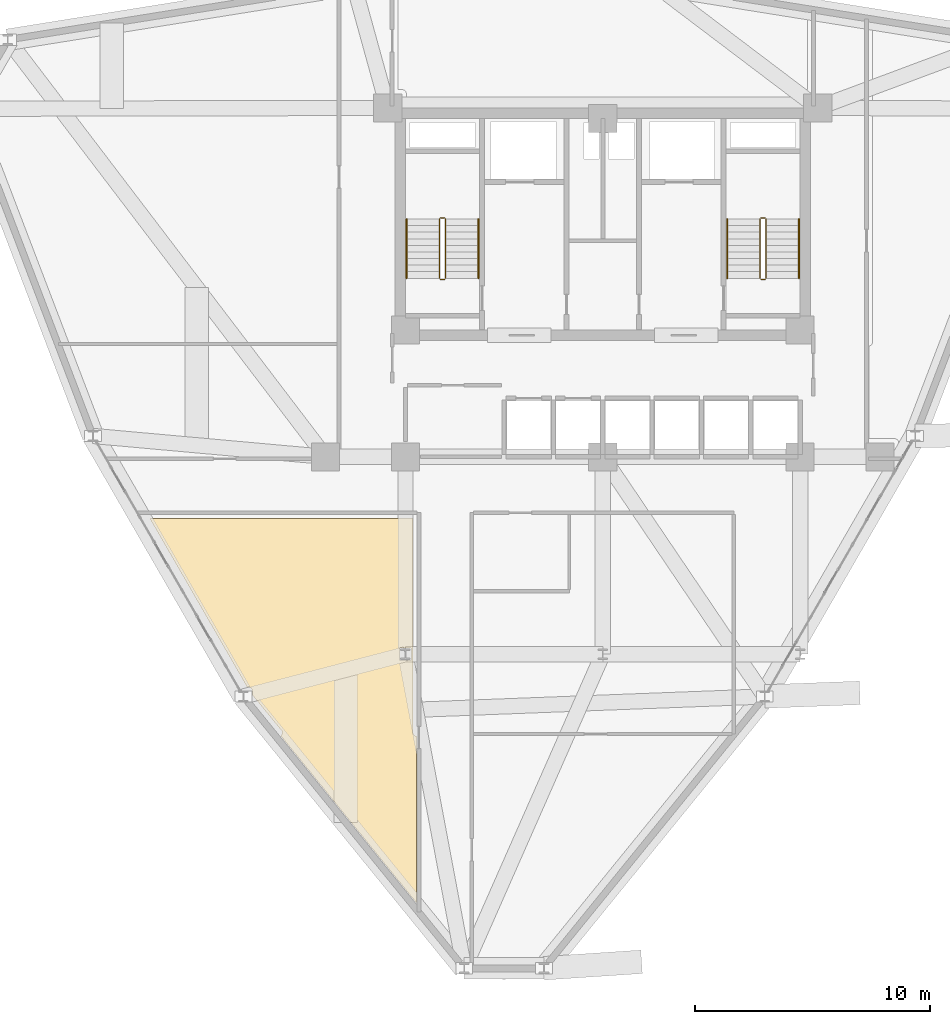
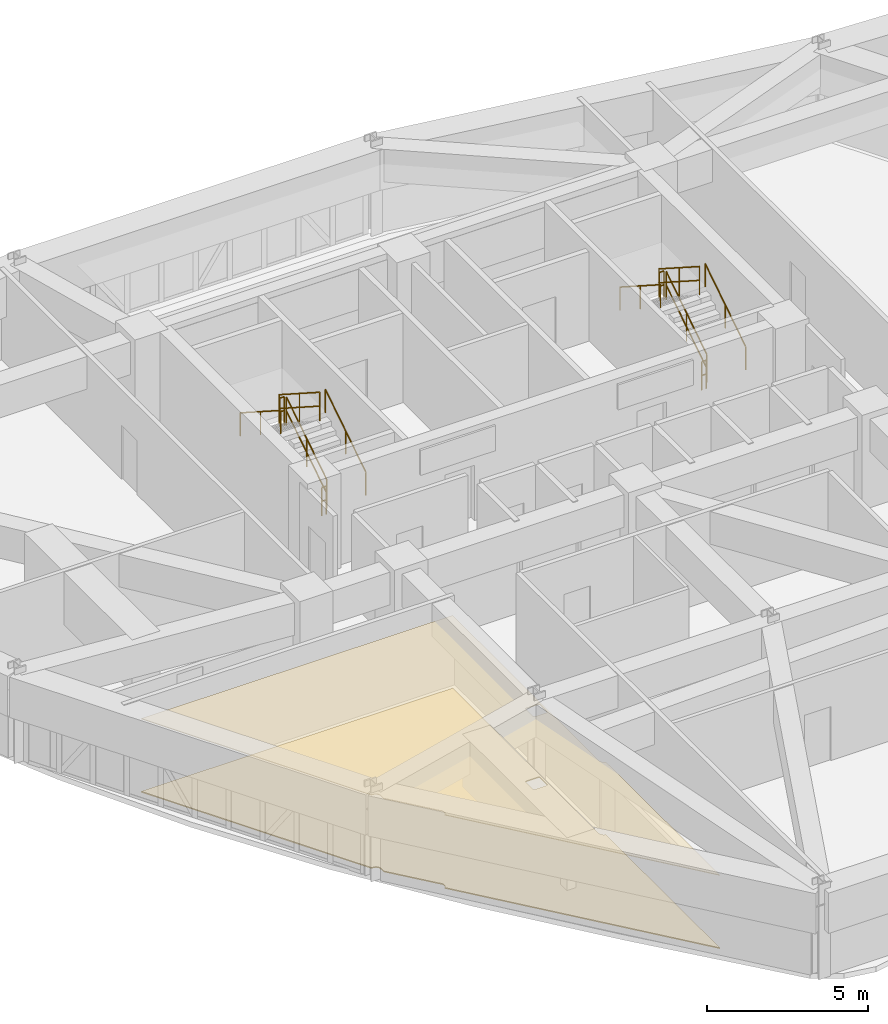
# One storey, part 14 of 15: 12 railings, 2 coverings.
"""IFC4 building model written with IfcOpenShell, lengths in metres."""

from ifc_helpers import new_model, si_unit, derived_unit, direction, frame, origin, origin_2d, place, context, subcontext, project, spatial, polyline, circle, outline, extrude, material, layer, layer_set, type_object, element, save


model = new_model("IFC4")

# Units and contexts
model_context = context("Model", 3, precision=1e-05, world=origin(), true_north=direction((0.0, 1.0)))
body_context = subcontext(model_context, "Body", "Model", "MODEL_VIEW")
ifc_project = project(units=[si_unit("LENGTHUNIT", "METRE"), si_unit("AREAUNIT", "SQUARE_METRE"), si_unit("VOLUMEUNIT", "CUBIC_METRE"), si_unit("PLANEANGLEUNIT", "RADIAN"), si_unit("MASSUNIT", "GRAM", prefix="KILO"), derived_unit("THERMALTRANSMITTANCEUNIT", [(si_unit("POWERUNIT", "WATT"), 1), (si_unit("LENGTHUNIT", "METRE"), -2), (si_unit("THERMODYNAMICTEMPERATUREUNIT", "KELVIN"), -1)])], contexts=[model_context])

# Site, building, storey
site_placement = place(None, origin())
site = spatial("IfcSite", under=ifc_project, at=site_placement, CompositionType="ELEMENT")
building_placement = place(site_placement, origin())
building = spatial("IfcBuilding", under=site, at=building_placement, Name="Korsvarv Bourse and Concert Hall", CompositionType="ELEMENT")
storey_placement = place(building_placement, frame((0.0, 0.0, 165.0)))
storey = spatial("IfcBuildingStorey", under=building, at=storey_placement, Name="L42", CompositionType="ELEMENT", Elevation=165.0)

# Coverings
ifc_material_1 = material(Name="Perforated mineral-wool and birch acoustic baffle ceiling", Category="wood")
ifc_layer_1 = layer(ifc_material_1, 0.02490234375)
ifc_layer_set_1 = layer_set([ifc_layer_1], Name="Perforated mineral-wool and birch acoustic baffle ceiling")
covering_type_1 = type_object("IfcCoveringType", Name="COV-CEIL-1", PredefinedType="CEILING", material=ifc_layer_set_1)
covering_1_placement = place(storey_placement, frame((0.0, 0.0, 2.780029296875)))
element("IfcCovering", 1, at=covering_1_placement, inside=storey, type_object=covering_type_1, Name="L42 acoustic baffle ceiling 1", PredefinedType="CEILING", context=body_context, shape_type="SweptSolid", body=[
    extrude(outline(polyline([(21.100830078125, 22.254150390625), (21.100830078125, 22.419921875), (21.09716796875, 22.455810546875), (21.08642578125, 22.490234375), (21.069091796875, 22.52197265625), (21.045654296875, 22.549560546875), (21.01708984375, 22.572021484375), (20.98486328125, 22.588134765625), (20.94970703125, 22.597412109375), (20.86572265625, 22.603515625), (16.728271484375, 29.77001953125), (27.919921875, 29.77001953125), (27.919921875, 20.68994140625), (27.923583984375, 20.65380859375), (27.9345703125, 20.618896484375), (27.952392578125, 20.587158203125), (27.97607421875, 20.5595703125), (28.0048828125, 20.537353515625), (28.03759765625, 20.521240234375), (28.07275390625, 20.51220703125), (28.080078125, 13.411865234375), (22.29833984375, 20.526611328125), (22.314208984375, 20.541748046875), (22.3349609375, 20.569580078125), (22.35009765625, 20.601318359375), (22.35888671875, 20.635009765625), (22.361083984375, 20.669921875), (22.3564453125, 20.70458984375), (22.344970703125, 20.737548828125), (22.327392578125, 20.767822265625), (22.304443359375, 20.794189453125), (22.27685546875, 20.815673828125), (21.100830078125, 22.254150390625)]), holes=[polyline([(27.38427734375, 23.7333984375), (27.805908203125, 23.732421875), (27.82958984375, 23.73828125), (27.84765625, 23.754638671875), (27.855712890625, 23.777587890625), (27.85595703125, 24.217529296875), (27.85009765625, 24.2412109375), (27.833740234375, 24.259033203125), (27.810791015625, 24.267333984375), (27.39404296875, 24.267578125), (27.370361328125, 24.26171875), (27.352294921875, 24.245361328125), (27.34423828125, 24.222412109375), (27.343994140625, 23.782470703125), (27.349853515625, 23.7587890625), (27.38427734375, 23.7333984375)])]), origin(), (0.0, 0.0, 1.0), 0.02490234375),
])
ifc_material_2 = material(Name="Calcium-sulphate raised access trading floor with Nordic oak top", Category="wood")
ifc_layer_2 = layer(ifc_material_2, 0.0400390625)
ifc_layer_set_2 = layer_set([ifc_layer_2], Name="Calcium-sulphate raised access trading floor with Nordic oak top")
covering_type_2 = type_object("IfcCoveringType", Name="COV-FLOR-1", PredefinedType="FLOORING", material=ifc_layer_set_2)
covering_2_placement = place(storey_placement, origin())
element("IfcCovering", 2, at=covering_2_placement, inside=storey, type_object=covering_type_2, Name="L42 raised access oak floor finish 1", PredefinedType="FLOORING", context=body_context, shape_type="SweptSolid", body=[
    extrude(outline(polyline([(21.100830078125, 22.254150390625), (21.100830078125, 22.419921875), (21.09716796875, 22.455810546875), (21.08642578125, 22.490234375), (21.069091796875, 22.52197265625), (21.045654296875, 22.549560546875), (21.01708984375, 22.572021484375), (20.98486328125, 22.588134765625), (20.94970703125, 22.597412109375), (20.86572265625, 22.603515625), (16.728271484375, 29.77001953125), (27.919921875, 29.77001953125), (27.919921875, 20.68994140625), (27.923583984375, 20.65380859375), (27.9345703125, 20.618896484375), (27.952392578125, 20.587158203125), (27.97607421875, 20.5595703125), (28.0048828125, 20.537353515625), (28.03759765625, 20.521240234375), (28.07275390625, 20.51220703125), (28.080078125, 13.411865234375), (22.29833984375, 20.526611328125), (22.314208984375, 20.541748046875), (22.3349609375, 20.569580078125), (22.35009765625, 20.601318359375), (22.35888671875, 20.635009765625), (22.361083984375, 20.669921875), (22.3564453125, 20.70458984375), (22.344970703125, 20.737548828125), (22.327392578125, 20.767822265625), (22.304443359375, 20.794189453125), (22.27685546875, 20.815673828125), (21.100830078125, 22.254150390625)]), holes=[polyline([(27.38427734375, 23.7333984375), (27.805908203125, 23.732421875), (27.82958984375, 23.73828125), (27.84765625, 23.754638671875), (27.855712890625, 23.777587890625), (27.85595703125, 24.217529296875), (27.85009765625, 24.2412109375), (27.833740234375, 24.259033203125), (27.810791015625, 24.267333984375), (27.39404296875, 24.267578125), (27.370361328125, 24.26171875), (27.352294921875, 24.245361328125), (27.34423828125, 24.222412109375), (27.343994140625, 23.782470703125), (27.349853515625, 23.7587890625), (27.38427734375, 23.7333984375)])]), origin(), (0.0, 0.0, 1.0), 0.0400390625),
])

# Railings
ifc_material_3 = material(Name="Painted Steel S355 stair well guardrail", Category="steel")
railing_type_1 = type_object("IfcRailingType", Name="RL-ST-GRD", PredefinedType="GUARDRAIL", material=ifc_material_3)
railing_1_placement = place(storey_placement, frame((29.31005859375, 40.0, 0.179931640625)))
element("IfcRailing", 3, at=railing_1_placement, inside=storey, type_object=railing_type_1, Name="L42 ST-T1 stair guard 1", PredefinedType="GUARDRAIL", context=body_context, shape_type="SweptSolid", body=[
    extrude(circle(Radius=0.02392578125, at=origin_2d()), frame((0.0, 0.0, 1.076171875), z_axis=(0.0, 0.841162588446, 0.540782303519), x_axis=(-1.0, 0.0, 0.0)), (0.0, 0.0, 1.0), 2.995849609375),
    extrude(circle(Radius=0.02392578125, at=origin_2d()), frame((0.0, 0.0, 0.550048828125), z_axis=(0.0, 0.841162588446, 0.540782303519), x_axis=(-1.0, 0.0, 0.0)), (0.0, 0.0, 1.0), 2.995849609375),
    extrude(circle(Radius=0.02099609375, at=origin_2d()), origin(), (0.0, 0.0, 1.0), 1.052001953125),
    extrude(circle(Radius=0.02099609375, at=origin_2d()), frame((0.0, 1.260009765625, 0.81005859375)), (0.0, 0.0, 1.0), 1.052001953125),
    extrude(circle(Radius=0.02099609375, at=origin_2d()), frame((0.0, 2.52001953125, 1.6201171875)), (0.0, 0.0, 1.0), 1.052001953125),
])
railing_2_placement = place(storey_placement, frame((29.260009765625, 42.570068359375, 1.800048828125)))
element("IfcRailing", 4, at=railing_2_placement, inside=storey, type_object=railing_type_1, Name="L42 ST-T1 stair guard 2", PredefinedType="GUARDRAIL", context=body_context, shape_type="SweptSolid", body=[
    extrude(circle(Radius=0.02392578125, at=origin_2d()), frame((0.0, 0.0, 1.076171875), z_axis=(-1.0, 0.0, 0.0), x_axis=(0.0, -1.0, 0.0)), (0.0, 0.0, 1.0), 0.159912109375),
    extrude(circle(Radius=0.02392578125, at=origin_2d()), frame((0.0, 0.0, 0.550048828125), z_axis=(-1.0, 0.0, 0.0), x_axis=(0.0, -1.0, 0.0)), (0.0, 0.0, 1.0), 0.159912109375),
    extrude(circle(Radius=0.02099609375, at=origin_2d()), origin(), (0.0, 0.0, 1.0), 1.052001953125),
    extrude(circle(Radius=0.02099609375, at=origin_2d()), frame((-0.159912109375, 0.0, 0.0)), (0.0, 0.0, 1.0), 1.052001953125),
])
railing_3_placement = place(storey_placement, frame((29.050048828125, 42.52001953125, 1.97998046875)))
element("IfcRailing", 5, at=railing_3_placement, inside=storey, type_object=railing_type_1, Name="L42 ST-T1 stair guard 3", PredefinedType="GUARDRAIL", context=body_context, shape_type="SweptSolid", body=[
    extrude(circle(Radius=0.02392578125, at=origin_2d()), frame((0.0, 0.0, 1.076171875), z_axis=(0.0, -0.841162588446, 0.540782303519), x_axis=(1.0, 0.0, 0.0)), (0.0, 0.0, 1.0), 2.995849609375),
    extrude(circle(Radius=0.02392578125, at=origin_2d()), frame((0.0, 0.0, 0.550048828125), z_axis=(0.0, -0.841162588446, 0.540782303519), x_axis=(1.0, 0.0, 0.0)), (0.0, 0.0, 1.0), 2.995849609375),
    extrude(circle(Radius=0.02099609375, at=origin_2d()), origin(), (0.0, 0.0, 1.0), 1.052001953125),
    extrude(circle(Radius=0.02099609375, at=origin_2d()), frame((0.0, -1.260009765625, 0.81005859375)), (0.0, 0.0, 1.0), 1.052001953125),
    extrude(circle(Radius=0.02099609375, at=origin_2d()), frame((0.0, -2.52001953125, 1.6201171875)), (0.0, 0.0, 1.0), 1.052001953125),
])
railing_4_placement = place(storey_placement, frame((29.260009765625, 39.949951171875, 0.0)))
element("IfcRailing", 6, at=railing_4_placement, inside=storey, type_object=railing_type_1, Name="L42 ST-T1 stair guard 4", PredefinedType="GUARDRAIL", context=body_context, shape_type="SweptSolid", body=[
    extrude(circle(Radius=0.02392578125, at=origin_2d()), frame((0.0, 0.0, 1.076171875), z_axis=(-1.0, 0.0, 0.0), x_axis=(0.0, -1.0, 0.0)), (0.0, 0.0, 1.0), 0.159912109375),
    extrude(circle(Radius=0.02392578125, at=origin_2d()), frame((0.0, 0.0, 0.550048828125), z_axis=(-1.0, 0.0, 0.0), x_axis=(0.0, -1.0, 0.0)), (0.0, 0.0, 1.0), 0.159912109375),
    extrude(circle(Radius=0.02099609375, at=origin_2d()), origin(), (0.0, 0.0, 1.0), 1.052001953125),
    extrude(circle(Radius=0.02099609375, at=origin_2d()), frame((-0.159912109375, 0.0, 0.0)), (0.0, 0.0, 1.0), 1.052001953125),
])
railing_5_placement = place(storey_placement, frame((42.949951171875, 40.0, 0.179931640625)))
element("IfcRailing", 7, at=railing_5_placement, inside=storey, type_object=railing_type_1, Name="L42 ST-T2 stair guard 1", PredefinedType="GUARDRAIL", context=body_context, shape_type="SweptSolid", body=[
    extrude(circle(Radius=0.02392578125, at=origin_2d()), frame((0.0, 0.0, 1.076171875), z_axis=(0.0, 0.841162588446, 0.540782303519), x_axis=(-1.0, 0.0, 0.0)), (0.0, 0.0, 1.0), 2.995849609375),
    extrude(circle(Radius=0.02392578125, at=origin_2d()), frame((0.0, 0.0, 0.550048828125), z_axis=(0.0, 0.841162588446, 0.540782303519), x_axis=(-1.0, 0.0, 0.0)), (0.0, 0.0, 1.0), 2.995849609375),
    extrude(circle(Radius=0.02099609375, at=origin_2d()), origin(), (0.0, 0.0, 1.0), 1.052001953125),
    extrude(circle(Radius=0.02099609375, at=origin_2d()), frame((0.0, 1.260009765625, 0.81005859375)), (0.0, 0.0, 1.0), 1.052001953125),
    extrude(circle(Radius=0.02099609375, at=origin_2d()), frame((0.0, 2.52001953125, 1.6201171875)), (0.0, 0.0, 1.0), 1.052001953125),
])
railing_6_placement = place(storey_placement, frame((42.89990234375, 42.570068359375, 1.800048828125)))
element("IfcRailing", 8, at=railing_6_placement, inside=storey, type_object=railing_type_1, Name="L42 ST-T2 stair guard 2", PredefinedType="GUARDRAIL", context=body_context, shape_type="SweptSolid", body=[
    extrude(circle(Radius=0.02392578125, at=origin_2d()), frame((0.0, 0.0, 1.076171875), z_axis=(-1.0, 0.0, 0.0), x_axis=(0.0, -1.0, 0.0)), (0.0, 0.0, 1.0), 0.159912109375),
    extrude(circle(Radius=0.02392578125, at=origin_2d()), frame((0.0, 0.0, 0.550048828125), z_axis=(-1.0, 0.0, 0.0), x_axis=(0.0, -1.0, 0.0)), (0.0, 0.0, 1.0), 0.159912109375),
    extrude(circle(Radius=0.02099609375, at=origin_2d()), origin(), (0.0, 0.0, 1.0), 1.052001953125),
    extrude(circle(Radius=0.02099609375, at=origin_2d()), frame((-0.159912109375, 0.0, 0.0)), (0.0, 0.0, 1.0), 1.052001953125),
])
railing_7_placement = place(storey_placement, frame((42.68994140625, 42.52001953125, 1.97998046875)))
element("IfcRailing", 9, at=railing_7_placement, inside=storey, type_object=railing_type_1, Name="L42 ST-T2 stair guard 3", PredefinedType="GUARDRAIL", context=body_context, shape_type="SweptSolid", body=[
    extrude(circle(Radius=0.02392578125, at=origin_2d()), frame((0.0, 0.0, 1.076171875), z_axis=(0.0, -0.841162588446, 0.540782303519), x_axis=(1.0, 0.0, 0.0)), (0.0, 0.0, 1.0), 2.995849609375),
    extrude(circle(Radius=0.02392578125, at=origin_2d()), frame((0.0, 0.0, 0.550048828125), z_axis=(0.0, -0.841162588446, 0.540782303519), x_axis=(1.0, 0.0, 0.0)), (0.0, 0.0, 1.0), 2.995849609375),
    extrude(circle(Radius=0.02099609375, at=origin_2d()), origin(), (0.0, 0.0, 1.0), 1.052001953125),
    extrude(circle(Radius=0.02099609375, at=origin_2d()), frame((0.0, -1.260009765625, 0.81005859375)), (0.0, 0.0, 1.0), 1.052001953125),
    extrude(circle(Radius=0.02099609375, at=origin_2d()), frame((0.0, -2.52001953125, 1.6201171875)), (0.0, 0.0, 1.0), 1.052001953125),
])
railing_8_placement = place(storey_placement, frame((42.89990234375, 39.949951171875, 0.0)))
element("IfcRailing", 10, at=railing_8_placement, inside=storey, type_object=railing_type_1, Name="L42 ST-T2 stair guard 4", PredefinedType="GUARDRAIL", context=body_context, shape_type="SweptSolid", body=[
    extrude(circle(Radius=0.02392578125, at=origin_2d()), frame((0.0, 0.0, 1.076171875), z_axis=(-1.0, 0.0, 0.0), x_axis=(0.0, -1.0, 0.0)), (0.0, 0.0, 1.0), 0.159912109375),
    extrude(circle(Radius=0.02392578125, at=origin_2d()), frame((0.0, 0.0, 0.550048828125), z_axis=(-1.0, 0.0, 0.0), x_axis=(0.0, -1.0, 0.0)), (0.0, 0.0, 1.0), 0.159912109375),
    extrude(circle(Radius=0.02099609375, at=origin_2d()), origin(), (0.0, 0.0, 1.0), 1.052001953125),
    extrude(circle(Radius=0.02099609375, at=origin_2d()), frame((-0.159912109375, 0.0, 0.0)), (0.0, 0.0, 1.0), 1.052001953125),
])
ifc_material_4 = material(Name="Brushed stainless Steel S355 tubular handrail", Category="steel")
railing_type_2 = type_object("IfcRailingType", Name="RL-ST-HND", PredefinedType="HANDRAIL", material=ifc_material_4)
railing_9_placement = place(storey_placement, frame((30.7099609375, 40.0, 0.179931640625)))
element("IfcRailing", 11, at=railing_9_placement, inside=storey, type_object=railing_type_2, Name="L42 ST-T1 stair handrail 1", PredefinedType="HANDRAIL", context=body_context, shape_type="SweptSolid", body=[
    extrude(circle(Radius=0.02392578125, at=origin_2d()), frame((0.0, 0.0, 0.8759765625), z_axis=(0.0, 0.841162588446, 0.540782303519), x_axis=(-1.0, 0.0, 0.0)), (0.0, 0.0, 1.0), 2.995849609375),
    extrude(circle(Radius=0.02099609375, at=origin_2d()), origin(), (0.0, 0.0, 1.0), 0.851806640625),
    extrude(circle(Radius=0.02099609375, at=origin_2d()), frame((0.0, 1.260009765625, 0.81005859375)), (0.0, 0.0, 1.0), 0.851806640625),
    extrude(circle(Radius=0.02099609375, at=origin_2d()), frame((0.0, 2.52001953125, 1.6201171875)), (0.0, 0.0, 1.0), 0.851806640625),
])
railing_10_placement = place(storey_placement, frame((27.64990234375, 42.52001953125, 1.97998046875)))
element("IfcRailing", 12, at=railing_10_placement, inside=storey, type_object=railing_type_2, Name="L42 ST-T1 stair handrail 2", PredefinedType="HANDRAIL", context=body_context, shape_type="SweptSolid", body=[
    extrude(circle(Radius=0.02392578125, at=origin_2d()), frame((0.0, 0.0, 0.8759765625), z_axis=(0.0, -0.841162588446, 0.540782303519), x_axis=(1.0, 0.0, 0.0)), (0.0, 0.0, 1.0), 2.995849609375),
    extrude(circle(Radius=0.02099609375, at=origin_2d()), origin(), (0.0, 0.0, 1.0), 0.851806640625),
    extrude(circle(Radius=0.02099609375, at=origin_2d()), frame((0.0, -1.260009765625, 0.81005859375)), (0.0, 0.0, 1.0), 0.851806640625),
    extrude(circle(Radius=0.02099609375, at=origin_2d()), frame((0.0, -2.52001953125, 1.6201171875)), (0.0, 0.0, 1.0), 0.851806640625),
])
railing_11_placement = place(storey_placement, frame((44.35009765625, 40.0, 0.179931640625)))
element("IfcRailing", 13, at=railing_11_placement, inside=storey, type_object=railing_type_2, Name="L42 ST-T2 stair handrail 1", PredefinedType="HANDRAIL", context=body_context, shape_type="SweptSolid", body=[
    extrude(circle(Radius=0.02392578125, at=origin_2d()), frame((0.0, 0.0, 0.8759765625), z_axis=(0.0, 0.841162588446, 0.540782303519), x_axis=(-1.0, 0.0, 0.0)), (0.0, 0.0, 1.0), 2.995849609375),
    extrude(circle(Radius=0.02099609375, at=origin_2d()), origin(), (0.0, 0.0, 1.0), 0.851806640625),
    extrude(circle(Radius=0.02099609375, at=origin_2d()), frame((0.0, 1.260009765625, 0.81005859375)), (0.0, 0.0, 1.0), 0.851806640625),
    extrude(circle(Radius=0.02099609375, at=origin_2d()), frame((0.0, 2.52001953125, 1.6201171875)), (0.0, 0.0, 1.0), 0.851806640625),
])
railing_12_placement = place(storey_placement, frame((41.2900390625, 42.52001953125, 1.97998046875)))
element("IfcRailing", 14, at=railing_12_placement, inside=storey, type_object=railing_type_2, Name="L42 ST-T2 stair handrail 2", PredefinedType="HANDRAIL", context=body_context, shape_type="SweptSolid", body=[
    extrude(circle(Radius=0.02392578125, at=origin_2d()), frame((0.0, 0.0, 0.8759765625), z_axis=(0.0, -0.841162588446, 0.540782303519), x_axis=(1.0, 0.0, 0.0)), (0.0, 0.0, 1.0), 2.995849609375),
    extrude(circle(Radius=0.02099609375, at=origin_2d()), origin(), (0.0, 0.0, 1.0), 0.851806640625),
    extrude(circle(Radius=0.02099609375, at=origin_2d()), frame((0.0, -1.260009765625, 0.81005859375)), (0.0, 0.0, 1.0), 0.851806640625),
    extrude(circle(Radius=0.02099609375, at=origin_2d()), frame((0.0, -2.52001953125, 1.6201171875)), (0.0, 0.0, 1.0), 0.851806640625),
])

save(model, "model.ifc")
